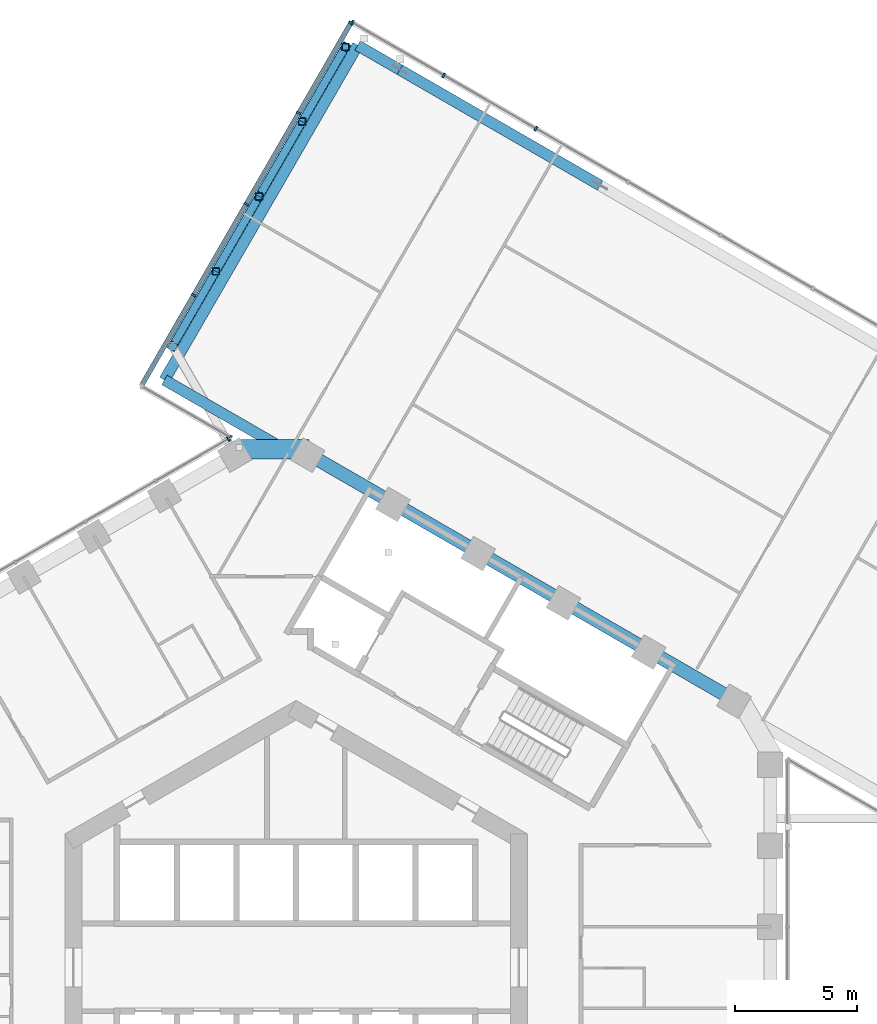
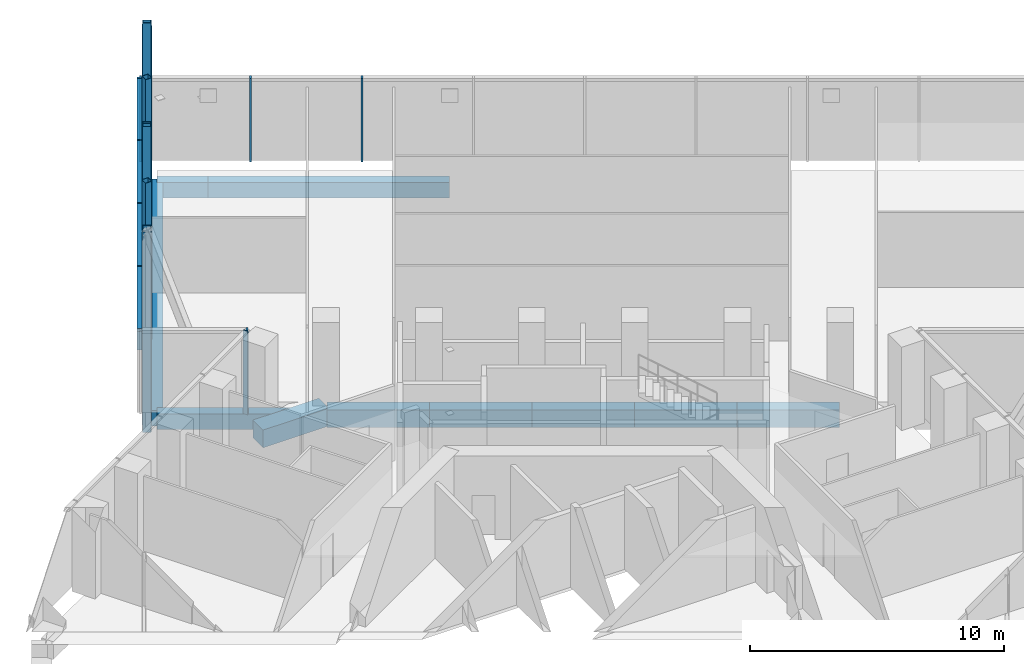
# One storey, part 7 of 25: 18 members, 10 beams, 4 elements without a shape of their own.
"""IFC4 building model written with IfcOpenShell, lengths in metres."""

from ifc_helpers import new_model, si_unit, direction, frame, origin, origin_2d, place, context, subcontext, project, spatial, rectangle, hollow_rectangle, extrude, material, layer, layer_set, material_profile, profile_set, type_object, element, aggregate, save


model = new_model("IFC4")

# Units and contexts
model_context = context("Model", 3, precision=1e-05, world=origin(), true_north=direction((0.0, 1.0)))
body_context = subcontext(model_context, "Body", "Model", "MODEL_VIEW")
ifc_project = project(units=[si_unit("LENGTHUNIT", "METRE"), si_unit("AREAUNIT", "SQUARE_METRE"), si_unit("VOLUMEUNIT", "CUBIC_METRE"), si_unit("PLANEANGLEUNIT", "RADIAN"), si_unit("MASSUNIT", "GRAM", prefix="KILO")], contexts=[model_context])

# Site, building, storey
site_placement = place(None, origin())
site = spatial("IfcSite", under=ifc_project, at=site_placement, CompositionType="ELEMENT")
building_placement = place(site_placement, origin())
building = spatial("IfcBuilding", under=site, at=building_placement, Name="Ayvan Gate Tower", CompositionType="ELEMENT")
storey_placement = place(building_placement, frame((0.0, 0.0, 139.89990234375)))
storey = spatial("IfcBuildingStorey", under=building, at=storey_placement, Name="L37", CompositionType="ELEMENT", Elevation=139.89990234375)

# Beams
ifc_material_1 = material(Name="Concrete C40/50", Category="concrete")
ifc_material_profile_1 = material_profile(ifc_material_1, rectangle(XDim=0.800048828125, YDim=0.85009765625, at=origin_2d()), Name="RC 800x850")
ifc_profile_set_1 = profile_set([ifc_material_profile_1], Name="Concrete C40/50")
beam_type_1 = type_object("IfcBeamType", Name="Corner spandrel beam RC 800x850 C40/50", PredefinedType="BEAM", material=ifc_profile_set_1)
beam_1_placement = place(storey_placement, frame((0.52294921875, 21.289794921875, -0.824951171875), z_axis=(-1.0, 0.0, 0.0), x_axis=(0.0, -1.0, 0.0)))
element("IfcBeam", 1, at=beam_1_placement, inside=storey, type_object=beam_type_1, Name="SB-L37-12", PredefinedType="BEAM", context=body_context, shape_type="SweptSolid", body=[
    extrude(rectangle(XDim=0.800048828125, YDim=0.85009765625, at=origin_2d()), origin(), (0.0, 0.0, 1.0), 3.0),
])
ifc_material_profile_2 = material_profile(ifc_material_1, rectangle(XDim=0.449951171875, YDim=0.75, at=origin_2d()), Name="RC 450x750")
ifc_profile_set_2 = profile_set([ifc_material_profile_2], Name="Concrete C40/50")
beam_type_2 = type_object("IfcBeamType", Name="Sky bar edge beam RC 450x750 C40/50", PredefinedType="BEAM", material=ifc_profile_set_2)
beam_2_placement = place(storey_placement, frame((-0.677978515625, 21.400146484375, -0.77490234375), z_axis=(-0.866023343127, 0.500003569146, 0.0), x_axis=(-0.500003569146, -0.866023343127, 0.0)))
element("IfcBeam", 2, at=beam_2_placement, inside=storey, type_object=beam_type_2, Name="EB-B3-L37-1", PredefinedType="BEAM", context=body_context, shape_type="SweptSolid", body=[
    extrude(rectangle(XDim=0.449951171875, YDim=0.75, at=origin_2d()), origin(), (0.0, 0.0, 1.0), 5.462890625),
])
beam_3_placement = place(storey_placement, frame((-5.408935546875, 24.131591796875, -0.77490234375), z_axis=(0.500007429784, 0.866021114154, 0.0), x_axis=(-0.866021114154, 0.500007429784, 0.0)))
element("IfcBeam", 3, at=beam_3_placement, inside=storey, type_object=beam_type_2, Name="EB-B3-L37-2", PredefinedType="BEAM", context=body_context, shape_type="SweptSolid", body=[
    extrude(rectangle(XDim=0.449951171875, YDim=0.75, at=origin_2d()), origin(), (0.0, 0.0, 1.0), 15.869873046875),
])
beam_4_placement = place(storey_placement, frame((2.526123046875, 37.875244140625, -0.77490234375), z_axis=(0.866010750942, -0.50002537861, 0.0), x_axis=(0.50002537861, 0.866010750942, 0.0)))
element("IfcBeam", 4, at=beam_4_placement, inside=storey, type_object=beam_type_2, Name="EB-B3-L37-3", PredefinedType="BEAM", context=body_context, shape_type="SweptSolid", body=[
    extrude(rectangle(XDim=0.449951171875, YDim=0.75, at=origin_2d()), origin(), (0.0, 0.0, 1.0), 2.0),
])
beam_5_placement = place(storey_placement, frame((4.258056640625, 36.875244140625, -0.77490234375), z_axis=(0.86602681393, -0.499997557548, 0.0), x_axis=(0.499997557548, 0.86602681393, 0.0)))
element("IfcBeam", 5, at=beam_5_placement, inside=storey, type_object=beam_type_2, Name="EB-B3-L37-4", PredefinedType="BEAM", context=body_context, shape_type="SweptSolid", body=[
    extrude(rectangle(XDim=0.449951171875, YDim=0.75, at=origin_2d()), origin(), (0.0, 0.0, 1.0), 9.5),
])

# Members
ifc_material_2 = material(Name="Steel S460NH", Category="steel")
ifc_material_profile_3 = material_profile(ifc_material_2, hollow_rectangle(XDim=0.35009765625, YDim=0.35009765625, WallThickness=0.01611328125, InnerFilletRadius=0.01611328125, OuterFilletRadius=0.02392578125, at=origin_2d()), Name="RHS 350x350x16")
ifc_profile_set_3 = profile_set([ifc_material_profile_3], Name="Steel S460NH")
member_type_1 = type_object("IfcMemberType", Name="Sky bar truss brace B3 RHS 350x350x16", PredefinedType="BRACE", material=ifc_profile_set_3)
for number, where, z_axis, x_axis, name in (
    (6, (-5.07470703125, 25.520263671875, 7.375), (0.140754903685, 0.243813824223, -0.959553477513), (-0.8660424351, 0.499970499736, 0.0), "SBX3-A-D-2"),
    (7, (-3.2998046875, 28.5947265625, -4.724853515625), (0.140773881087, 0.243813159747, 0.959550862403), (-0.866012656725, 0.500022077904, 0.0), "SBX3-A-D-3"),
    (8, (-1.524658203125, 31.669189453125, 7.375), (0.140754903685, 0.243813824223, -0.959553477513), (-0.8660424351, 0.499970499736, 0.0), "SBX3-A-D-4"),
    (9, (0.250244140625, 34.74365234375, -4.724853515625), (0.140774545584, 0.243794949524, 0.959555391784), (-0.865995461329, 0.500051858269, 0.0), "SBX3-A-D-5"),
):
    element("IfcMember", number, at=place(storey_placement, frame(where, z_axis=z_axis, x_axis=x_axis)), inside=storey, type_object=member_type_1, Name=name, PredefinedType="BRACE", context=body_context, shape_type="SweptSolid", body=[
        extrude(hollow_rectangle(XDim=0.35009765625, YDim=0.35009765625, WallThickness=0.01611328125, InnerFilletRadius=0.01611328125, OuterFilletRadius=0.02392578125, at=origin_2d()), origin(), (0.0, 0.0, 1.0), 12.60986328125),
    ])
ifc_material_profile_4 = material_profile(ifc_material_2, hollow_rectangle(XDim=0.300048828125, YDim=0.300048828125, WallThickness=0.01611328125, InnerFilletRadius=0.01611328125, OuterFilletRadius=0.02392578125, at=origin_2d()), Name="RHS 300x300x16")
ifc_profile_set_4 = profile_set([ifc_material_profile_4], Name="Steel S460NH")
member_type_2 = type_object("IfcMemberType", Name="Sky bar truss post B3 RHS 300x300x16", PredefinedType="POST", material=ifc_profile_set_4)
for number, where, z_axis, x_axis, name in (
    (10, (-3.2998046875, 28.5947265625, -4.5498046875), (0.0, 0.0, 1.0), (1.0, 0.0, 0.0), "SBX3-A-P-2"),
    (11, (-1.524658203125, 31.669189453125, -4.5498046875), (0.0, 0.0, 1.0), (1.0, 0.0, 0.0), "SBX3-A-P-3"),
    (12, (0.250244140625, 34.74365234375, -4.5498046875), (0.0, 0.0, 1.0), (1.0, 0.0, 0.0), "SBX3-A-P-4"),
    (13, (2.025390625, 37.81787109375, -4.5498046875), (0.0, 0.0, 1.0), (1.0, 0.0, 0.0), "SBX3-A-P-5"),
):
    element("IfcMember", number, at=place(storey_placement, frame(where, z_axis=z_axis, x_axis=x_axis)), inside=storey, type_object=member_type_2, Name=name, PredefinedType="POST", context=body_context, shape_type="SweptSolid", body=[
        extrude(hollow_rectangle(XDim=0.300048828125, YDim=0.300048828125, WallThickness=0.01611328125, InnerFilletRadius=0.01611328125, OuterFilletRadius=0.02392578125, at=origin_2d()), origin(), (0.0, 0.0, 1.0), 11.75),
    ])

# Beams
ifc_material_profile_5 = material_profile(ifc_material_1, rectangle(XDim=0.550048828125, YDim=0.85009765625, at=origin_2d()), Name="RC 550x850")
ifc_profile_set_5 = profile_set([ifc_material_profile_5], Name="Concrete C40/50")
beam_type_3 = type_object("IfcBeamType", Name="Spandrel beam RC 550x850 C40/50", PredefinedType="BEAM", material=ifc_profile_set_5)
beam_6_placement = place(storey_placement, frame((17.985595703125, 10.98779296875, -0.824951171875), z_axis=(-0.86602528846, 0.500000199748, 0.0), x_axis=(-0.500000199748, -0.86602528846, 0.0)))
element("IfcBeam", 14, at=beam_6_placement, inside=storey, type_object=beam_type_3, Name="SB-L37-7", PredefinedType="BEAM", context=body_context, shape_type="SweptSolid", body=[
    extrude(rectangle(XDim=0.550048828125, YDim=0.85009765625, at=origin_2d()), origin(), (0.0, 0.0, 1.0), 4.03271484375),
])
beam_7_placement = place(storey_placement, frame((14.4931640625, 13.004150390625, -0.824951171875), z_axis=(-0.866014209572, 0.500019388443, 0.0), x_axis=(-0.500019388443, -0.866014209572, 0.0)))
element("IfcBeam", 15, at=beam_7_placement, inside=storey, type_object=beam_type_3, Name="SB-L37-8", PredefinedType="BEAM", context=body_context, shape_type="SweptSolid", body=[
    extrude(rectangle(XDim=0.550048828125, YDim=0.85009765625, at=origin_2d()), origin(), (0.0, 0.0, 1.0), 4.032958984375),
])
beam_8_placement = place(storey_placement, frame((11.00048828125, 15.020751953125, -0.824951171875), z_axis=(-0.86602528846, 0.500000199748, 0.0), x_axis=(-0.500000199748, -0.86602528846, 0.0)))
element("IfcBeam", 16, at=beam_8_placement, inside=storey, type_object=beam_type_3, Name="SB-L37-9", PredefinedType="BEAM", context=body_context, shape_type="SweptSolid", body=[
    extrude(rectangle(XDim=0.550048828125, YDim=0.85009765625, at=origin_2d()), origin(), (0.0, 0.0, 1.0), 4.03271484375),
])
beam_9_placement = place(storey_placement, frame((7.508056640625, 17.037109375, -0.824951171875), z_axis=(-0.866040422292, 0.499973986279, 0.0), x_axis=(-0.499973986279, -0.866040422292, 0.0)))
element("IfcBeam", 17, at=beam_9_placement, inside=storey, type_object=beam_type_3, Name="SB-L37-10", PredefinedType="BEAM", context=body_context, shape_type="SweptSolid", body=[
    extrude(rectangle(XDim=0.550048828125, YDim=0.85009765625, at=origin_2d()), origin(), (0.0, 0.0, 1.0), 4.032958984375),
])
beam_10_placement = place(storey_placement, frame((4.015380859375, 19.053466796875, -0.824951171875), z_axis=(-0.86602528846, 0.500000199748, 0.0), x_axis=(-0.500000199748, -0.86602528846, 0.0)))
element("IfcBeam", 18, at=beam_10_placement, inside=storey, type_object=beam_type_3, Name="SB-L37-11", PredefinedType="BEAM", context=body_context, shape_type="SweptSolid", body=[
    extrude(rectangle(XDim=0.550048828125, YDim=0.85009765625, at=origin_2d()), origin(), (0.0, 0.0, 1.0), 4.03271484375),
])

# Curtain wall, member
ifc_material_3 = material(Name="Bronze anodised aluminium", Category="aluminium")
ifc_layer_1 = layer(ifc_material_3, 0.199951171875)
ifc_layer_set_1 = layer_set([ifc_layer_1], Name="Bronze anodised aluminium")
curtain_wall_type_1 = type_object("IfcCurtainWallType", Name="Stick curtain wall CW-1", PredefinedType="NOTDEFINED", material=ifc_layer_set_1)
curtain_wall_1_placement = place(storey_placement, origin())
curtain_wall_1 = element("IfcCurtainWall", 19, at=curtain_wall_1_placement, inside=storey, type_object=curtain_wall_type_1, Name="Stick curtain wall CW-1 L37", PredefinedType="NOTDEFINED")
ifc_material_profile_6 = material_profile(ifc_material_3, rectangle(XDim=0.199951171875, YDim=0.06005859375, at=origin_2d()), Name="Stick curtain wall CW-1 mullion 200 x 60")
ifc_profile_set_6 = profile_set([ifc_material_profile_6], Name="Bronze anodised aluminium")
member_type_3 = type_object("IfcMemberType", Name="Stick curtain wall CW-1 mullion 200 x 60", PredefinedType="MULLION", material=ifc_profile_set_6)
member_1_placement = place(storey_placement, frame((-2.78759765625, 21.698974609375, 0.0), z_axis=(0.0, 0.0, 1.0), x_axis=(-0.5, 0.866025403784, 0.0)))
member_1 = element("IfcMember", 20, at=member_1_placement, type_object=member_type_3, Name="CW-1 mullion 1", PredefinedType="MULLION", context=body_context, shape_type="SweptSolid", body=[
    extrude(rectangle(XDim=0.199951171875, YDim=0.06005859375, at=origin_2d()), origin(), (0.0, 0.0, 1.0), 4.0),
])
aggregate(curtain_wall_1, [member_1])

# Curtain wall, members
ifc_layer_2 = layer(ifc_material_3, 0.199951171875)
ifc_layer_set_2 = layer_set([ifc_layer_2], Name="Bronze anodised aluminium")
curtain_wall_type_2 = type_object("IfcCurtainWallType", Name="Stick curtain wall CW-4", PredefinedType="NOTDEFINED", material=ifc_layer_set_2)
curtain_wall_2_placement = place(storey_placement, origin())
curtain_wall_2 = element("IfcCurtainWall", 21, at=curtain_wall_2_placement, inside=storey, type_object=curtain_wall_type_2, Name="Stick curtain wall CW-4 L37", PredefinedType="NOTDEFINED")
ifc_material_profile_7 = material_profile(ifc_material_3, rectangle(XDim=0.199951171875, YDim=0.080078125, at=origin_2d()), Name="Stick curtain wall CW-4 mullion 200 x 80")
ifc_profile_set_7 = profile_set([ifc_material_profile_7], Name="Bronze anodised aluminium")
member_type_4 = type_object("IfcMemberType", Name="Stick curtain wall CW-4 mullion 200 x 80", PredefinedType="MULLION", material=ifc_profile_set_7)
member_2_placement = place(storey_placement, frame((9.852294921875, 34.45361328125, 0.0), z_axis=(0.0, 0.0, 1.0), x_axis=(0.5, 0.866025403784, 0.0)))
member_2 = element("IfcMember", 22, at=member_2_placement, type_object=member_type_4, Name="CW-4 mullion 8", PredefinedType="MULLION", context=body_context, shape_type="SweptSolid", body=[
    extrude(rectangle(XDim=0.199951171875, YDim=0.080078125, at=origin_2d()), origin(), (0.0, 0.0, 1.0), 4.0),
])
member_3_placement = place(storey_placement, frame((6.06103515625, 36.642578125, 0.0), z_axis=(0.0, 0.0, 1.0), x_axis=(0.5, 0.866025403784, 0.0)))
member_3 = element("IfcMember", 23, at=member_3_placement, type_object=member_type_4, Name="CW-4 mullion 9", PredefinedType="MULLION", context=body_context, shape_type="SweptSolid", body=[
    extrude(rectangle(XDim=0.199951171875, YDim=0.080078125, at=origin_2d()), origin(), (0.0, 0.0, 1.0), 4.0),
])
member_4_placement = place(storey_placement, frame((2.304443359375, 38.8115234375, 0.0), z_axis=(0.0, 0.0, 1.0), x_axis=(0.5, 0.866025403784, 0.0)))
member_4 = element("IfcMember", 24, at=member_4_placement, type_object=member_type_4, Name="CW-4 mullion 10", PredefinedType="MULLION", context=body_context, shape_type="SweptSolid", body=[
    extrude(rectangle(XDim=0.199951171875, YDim=0.080078125, at=origin_2d()), origin(), (0.0, 0.0, 1.0), 4.0),
])
aggregate(curtain_wall_2, [member_2, member_3, member_4])

curtain_wall_3_placement = place(storey_placement, origin())
curtain_wall_3 = element("IfcCurtainWall", 25, at=curtain_wall_3_placement, inside=storey, type_object=curtain_wall_type_2, Name="Stick curtain wall CW-4 L37", PredefinedType="NOTDEFINED")
member_5_placement = place(storey_placement, frame((2.249755859375, 38.796875, 0.0), z_axis=(0.0, 0.0, 1.0), x_axis=(-0.866025403784, 0.5, 0.0)))
member_5 = element("IfcMember", 26, at=member_5_placement, type_object=member_type_4, Name="CW-4 mullion 1", PredefinedType="MULLION", context=body_context, shape_type="SweptSolid", body=[
    extrude(rectangle(XDim=0.199951171875, YDim=0.080078125, at=origin_2d()), origin(), (0.0, 0.0, 1.0), 4.0),
])
member_6_placement = place(storey_placement, frame((0.111083984375, 35.092529296875, 0.0), z_axis=(0.0, 0.0, 1.0), x_axis=(-0.866025403784, 0.5, 0.0)))
member_6 = element("IfcMember", 27, at=member_6_placement, type_object=member_type_4, Name="CW-4 mullion 2", PredefinedType="MULLION", context=body_context, shape_type="SweptSolid", body=[
    extrude(rectangle(XDim=0.199951171875, YDim=0.080078125, at=origin_2d()), origin(), (0.0, 0.0, 1.0), 4.0),
])
member_7_placement = place(storey_placement, frame((-2.047607421875, 31.353515625, 0.0), z_axis=(0.0, 0.0, 1.0), x_axis=(-0.866025403784, 0.5, 0.0)))
member_7 = element("IfcMember", 28, at=member_7_placement, type_object=member_type_4, Name="CW-4 mullion 3", PredefinedType="MULLION", context=body_context, shape_type="SweptSolid", body=[
    extrude(rectangle(XDim=0.199951171875, YDim=0.080078125, at=origin_2d()), origin(), (0.0, 0.0, 1.0), 4.0),
])
member_8_placement = place(storey_placement, frame((-4.206298828125, 27.614501953125, 0.0), z_axis=(0.0, 0.0, 1.0), x_axis=(-0.866025403784, 0.5, 0.0)))
member_8 = element("IfcMember", 29, at=member_8_placement, type_object=member_type_4, Name="CW-4 mullion 4", PredefinedType="MULLION", context=body_context, shape_type="SweptSolid", body=[
    extrude(rectangle(XDim=0.199951171875, YDim=0.080078125, at=origin_2d()), origin(), (0.0, 0.0, 1.0), 4.0),
])

# Curtain wall, member
curtain_wall_4_placement = place(storey_placement, origin())
curtain_wall_4 = element("IfcCurtainWall", 30, at=curtain_wall_4_placement, inside=storey, type_object=curtain_wall_type_2, Name="Stick curtain wall CW-4 L37", PredefinedType="NOTDEFINED")
member_9_placement = place(storey_placement, frame((-2.700439453125, 21.759521484375, 0.0), z_axis=(0.0, 0.0, 1.0), x_axis=(-0.5, -0.866025403784, 0.0)))
member_9 = element("IfcMember", 31, at=member_9_placement, type_object=member_type_4, Name="CW-4 mullion 2", PredefinedType="MULLION", context=body_context, shape_type="SweptSolid", body=[
    extrude(rectangle(XDim=0.199951171875, YDim=0.080078125, at=origin_2d()), origin(), (0.0, 0.0, 1.0), 4.0),
])
aggregate(curtain_wall_4, [member_9])

# Member
ifc_material_profile_8 = material_profile(ifc_material_3, rectangle(XDim=0.199951171875, YDim=0.139892578125, at=origin_2d()), Name="Stick curtain wall CW-4 transom 200 x 140")
ifc_profile_set_8 = profile_set([ifc_material_profile_8], Name="Bronze anodised aluminium")
member_type_5 = type_object("IfcMemberType", Name="Stick curtain wall CW-4 transom 200 x 140", PredefinedType="USERDEFINED", material=ifc_profile_set_8)
member_10_placement = place(storey_placement, frame((2.249755859375, 38.796875, 3.93017578125), z_axis=(-0.499988417402, -0.866032090897, 0.0), x_axis=(0.866032090897, -0.499988417402, 0.0)))
member_10 = element("IfcMember", 32, at=member_10_placement, type_object=member_type_5, Name="CW-4 transom 1", ObjectType="TRANSOM", PredefinedType="USERDEFINED", context=body_context, shape_type="SweptSolid", body=[
    extrude(rectangle(XDim=0.199951171875, YDim=0.139892578125, at=origin_2d()), origin(), (0.0, 0.0, 1.0), 17.18994140625),
])

aggregate(curtain_wall_3, [member_5, member_6, member_7, member_8, member_10])

save(model, "model.ifc")
